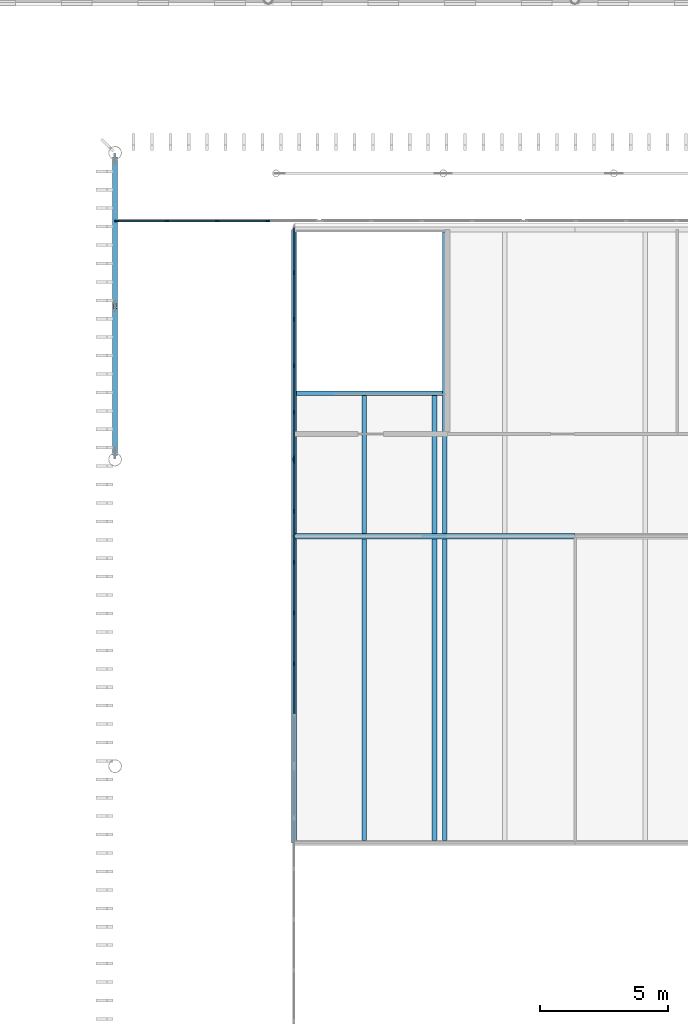
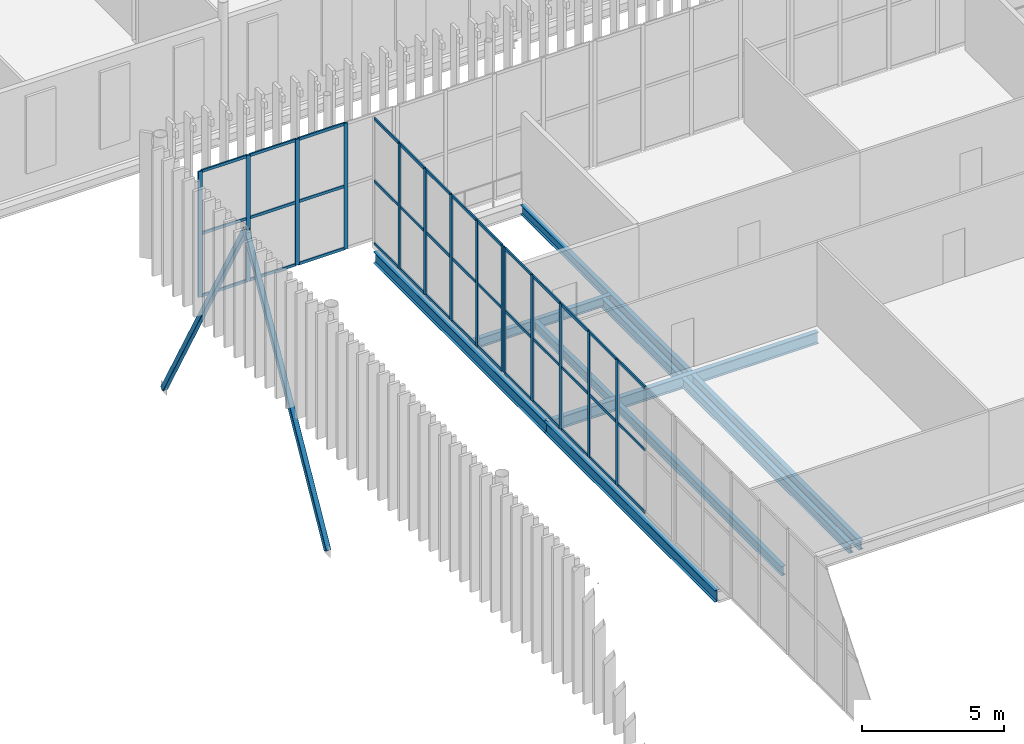
# One storey, part 64 of 170: 55 members, 10 beams, 3 elements without a shape of their own.
"""IFC4 building model written with IfcOpenShell, lengths in metres."""

from ifc_helpers import new_model, si_unit, direction, frame, origin, origin_2d, place, context, subcontext, project, spatial, rectangle, hollow_rectangle, i_section, extrude, material, layer, layer_set, material_profile, profile_set, type_object, element, aggregate, save


model = new_model("IFC4")

# Units and contexts
model_context = context("Model", 3, precision=1e-05, world=origin(), true_north=direction((0.0, 1.0)))
body_context = subcontext(model_context, "Body", "Model", "MODEL_VIEW")
ifc_project = project(units=[si_unit("LENGTHUNIT", "METRE"), si_unit("AREAUNIT", "SQUARE_METRE"), si_unit("VOLUMEUNIT", "CUBIC_METRE"), si_unit("PLANEANGLEUNIT", "RADIAN"), si_unit("MASSUNIT", "GRAM", prefix="KILO")], contexts=[model_context])

# Site, building, storey
site_placement = place(None, origin())
site = spatial("IfcSite", under=ifc_project, at=site_placement, CompositionType="ELEMENT")
building_placement = place(site_placement, origin())
building = spatial("IfcBuilding", under=site, at=building_placement, Name="Ravi Spectrum Wholesale Market", CompositionType="ELEMENT")
storey_placement = place(building_placement, frame((0.0, 0.0, 5.39990234375)))
storey = spatial("IfcBuildingStorey", under=building, at=storey_placement, Name="L01", CompositionType="ELEMENT", Elevation=5.39990234375)

# Beams
ifc_material_1 = material(Name="Steel S355", Category="steel")
ifc_material_profile_1 = material_profile(ifc_material_1, i_section(OverallWidth=0.179931640625, OverallDepth=0.39990234375, WebThickness=0.008544921875, FlangeThickness=0.013427734375, at=origin_2d()))
ifc_profile_set_1 = profile_set([ifc_material_profile_1], Name="Steel S355")
beam_type_1 = type_object("IfcBeamType", Name="IPE 400 beam", PredefinedType="BEAM", material=ifc_profile_set_1)
beam_1_placement = place(storey_placement, frame((39.75, 171.10009765625, -0.449951171875), z_axis=(0.0, 1.0, 0.0), x_axis=(-1.0, 0.0, 0.0)))
element("IfcBeam", 1, at=beam_1_placement, inside=storey, type_object=beam_type_1, Name="H1-BM-L01-023", PredefinedType="BEAM", context=body_context, shape_type="SweptSolid", body=[
    extrude(i_section(OverallWidth=0.179931640625, OverallDepth=0.39990234375, WebThickness=0.008544921875, FlangeThickness=0.013427734375, at=origin_2d()), origin(), (0.0, 0.0, 1.0), 11.7998046875),
])
beam_2_placement = place(storey_placement, frame((39.75, 183.10009765625, -0.449951171875), z_axis=(0.0, 1.0, 0.0), x_axis=(-1.0, 0.0, 0.0)))
element("IfcBeam", 2, at=beam_2_placement, inside=storey, type_object=beam_type_1, Name="H1-BM-L01-024", PredefinedType="BEAM", context=body_context, shape_type="SweptSolid", body=[
    extrude(i_section(OverallWidth=0.179931640625, OverallDepth=0.39990234375, WebThickness=0.008544921875, FlangeThickness=0.013427734375, at=origin_2d()), origin(), (0.0, 0.0, 1.0), 5.409912109375),
])
beam_3_placement = place(storey_placement, frame((42.5, 171.10009765625, -0.449951171875), z_axis=(0.0, 1.0, 0.0), x_axis=(-1.0, 0.0, 0.0)))
element("IfcBeam", 3, at=beam_3_placement, inside=storey, type_object=beam_type_1, Name="H1-BM-L01-025", PredefinedType="BEAM", context=body_context, shape_type="SweptSolid", body=[
    extrude(i_section(OverallWidth=0.179931640625, OverallDepth=0.39990234375, WebThickness=0.008544921875, FlangeThickness=0.013427734375, at=origin_2d()), origin(), (0.0, 0.0, 1.0), 11.7998046875),
])
beam_4_placement = place(storey_placement, frame((42.5, 183.10009765625, -0.449951171875), z_axis=(0.0, 1.0, 0.0), x_axis=(-1.0, 0.0, 0.0)))
element("IfcBeam", 4, at=beam_4_placement, inside=storey, type_object=beam_type_1, Name="H1-BM-L01-026", PredefinedType="BEAM", context=body_context, shape_type="SweptSolid", body=[
    extrude(i_section(OverallWidth=0.179931640625, OverallDepth=0.39990234375, WebThickness=0.008544921875, FlangeThickness=0.013427734375, at=origin_2d()), origin(), (0.0, 0.0, 1.0), 5.409912109375),
])
for number, where, z_axis, x_axis, name in (
    (5, (42.89990234375, 171.10009765625, -0.449951171875), (0.0, 1.0, 0.0), (-1.0, 0.0, 0.0), "H1-BM-L01-027"),
    (6, (42.89990234375, 183.10009765625, -0.449951171875), (0.0, 1.0, 0.0), (-1.0, 0.0, 0.0), "H1-BM-L01-028"),
):
    element("IfcBeam", number, at=place(storey_placement, frame(where, z_axis=z_axis, x_axis=x_axis)), inside=storey, type_object=beam_type_1, Name=name, PredefinedType="BEAM", context=body_context, shape_type="SweptSolid", body=[
        extrude(i_section(OverallWidth=0.179931640625, OverallDepth=0.39990234375, WebThickness=0.008544921875, FlangeThickness=0.013427734375, at=origin_2d()), origin(), (0.0, 0.0, 1.0), 11.7998046875),
    ])
beam_5_placement = place(storey_placement, frame((37.10009765625, 188.60009765625, -0.449951171875), z_axis=(1.0, 0.0, 0.0), x_axis=(0.0, 1.0, 0.0)))
element("IfcBeam", 7, at=beam_5_placement, inside=storey, type_object=beam_type_1, Name="H1-BM-L01-069", PredefinedType="BEAM", context=body_context, shape_type="SweptSolid", body=[
    extrude(i_section(OverallWidth=0.179931640625, OverallDepth=0.39990234375, WebThickness=0.008544921875, FlangeThickness=0.013427734375, at=origin_2d()), origin(), (0.0, 0.0, 1.0), 5.7099609375),
])
ifc_material_2 = material(Name="Steel S355", Category="steel")
ifc_material_profile_2 = material_profile(ifc_material_2, i_section(OverallWidth=0.199951171875, OverallDepth=0.5, WebThickness=0.01025390625, FlangeThickness=0.01611328125, at=origin_2d()))
ifc_profile_set_2 = profile_set([ifc_material_profile_2], Name="Steel S355")
beam_type_2 = type_object("IfcBeamType", Name="IPE 500 girder", PredefinedType="BEAM", material=ifc_profile_set_2)
beam_6_placement = place(storey_placement, frame((37.0, 183.0, -0.5), z_axis=(1.0, 0.0, 0.0), x_axis=(0.0, 1.0, 0.0)))
element("IfcBeam", 8, at=beam_6_placement, inside=storey, type_object=beam_type_2, Name="H1-BM-L01-007", PredefinedType="BEAM", context=body_context, shape_type="SweptSolid", body=[
    extrude(i_section(OverallWidth=0.199951171875, OverallDepth=0.5, WebThickness=0.01025390625, FlangeThickness=0.01611328125, at=origin_2d()), origin(), (0.0, 0.0, 1.0), 11.0),
])
for number, where, z_axis, x_axis, name in (
    (9, (37.0, 171.0, -0.5), (0.0, 1.0, 0.0), (-1.0, 0.0, 0.0), "H1-BM-L01-019"),
    (10, (37.0, 183.0, -0.5), (0.0, 1.0, 0.0), (-1.0, 0.0, 0.0), "H1-BM-L01-020"),
):
    element("IfcBeam", number, at=place(storey_placement, frame(where, z_axis=z_axis, x_axis=x_axis)), inside=storey, type_object=beam_type_2, Name=name, PredefinedType="BEAM", context=body_context, shape_type="SweptSolid", body=[
        extrude(i_section(OverallWidth=0.199951171875, OverallDepth=0.5, WebThickness=0.01025390625, FlangeThickness=0.01611328125, at=origin_2d()), origin(), (0.0, 0.0, 1.0), 12.0),
    ])

# Curtain wall, members
ifc_material_3 = material(Name="Aluminium 6063-T6", Category="aluminium")
ifc_layer = layer(ifc_material_3, 0.14990234375)
ifc_layer_set = layer_set([ifc_layer], Name="Aluminium 6063-T6")
curtain_wall_type = type_object("IfcCurtainWallType", Name="Curtain wall 150", PredefinedType="NOTDEFINED", material=ifc_layer_set)
curtain_wall_1_placement = place(storey_placement, origin())
curtain_wall_1 = element("IfcCurtainWall", 11, at=curtain_wall_1_placement, inside=storey, type_object=curtain_wall_type, Name="H1-CW-L01-013", PredefinedType="NOTDEFINED")
ifc_material_4 = material(Name="Aluminium 6063-T6", Category="aluminium")
ifc_material_profile_3 = material_profile(ifc_material_4, rectangle(XDim=0.06005859375, YDim=0.159912109375, at=origin_2d()))
ifc_profile_set_3 = profile_set([ifc_material_profile_3], Name="Aluminium 6063-T6")
member_type_1 = type_object("IfcMemberType", Name="Mullion 60 x 160", PredefinedType="MULLION", material=ifc_profile_set_3)
member_1_placement = place(storey_placement, frame((37.0, 178.013427734375, 0.0), z_axis=(0.0, 0.0, 1.0), x_axis=(-1.0, 0.0, 0.0)))
member_1 = element("IfcMember", 12, at=member_1_placement, type_object=member_type_1, Name="H1-CW-L01-013 mullion 3", PredefinedType="MULLION", context=body_context, shape_type="SweptSolid", body=[
    extrude(rectangle(XDim=0.06005859375, YDim=0.159912109375, at=origin_2d()), origin(), (0.0, 0.0, 1.0), 5.400146484375),
])
member_2_placement = place(storey_placement, frame((37.0, 180.0, 0.0), z_axis=(0.0, 0.0, 1.0), x_axis=(-1.0, 0.0, 0.0)))
member_2 = element("IfcMember", 13, at=member_2_placement, type_object=member_type_1, Name="H1-CW-L01-013 mullion 4", PredefinedType="MULLION", context=body_context, shape_type="SweptSolid", body=[
    extrude(rectangle(XDim=0.06005859375, YDim=0.159912109375, at=origin_2d()), origin(), (0.0, 0.0, 1.0), 5.400146484375),
])
member_3_placement = place(storey_placement, frame((37.0, 181.986572265625, 0.0), z_axis=(0.0, 0.0, 1.0), x_axis=(-1.0, 0.0, 0.0)))
member_3 = element("IfcMember", 14, at=member_3_placement, type_object=member_type_1, Name="H1-CW-L01-013 mullion 5", PredefinedType="MULLION", context=body_context, shape_type="SweptSolid", body=[
    extrude(rectangle(XDim=0.06005859375, YDim=0.159912109375, at=origin_2d()), origin(), (0.0, 0.0, 1.0), 5.400146484375),
])
member_4_placement = place(storey_placement, frame((37.0, 183.973388671875, 0.0), z_axis=(0.0, 0.0, 1.0), x_axis=(-1.0, 0.0, 0.0)))
member_4 = element("IfcMember", 15, at=member_4_placement, type_object=member_type_1, Name="H1-CW-L01-013 mullion 6", PredefinedType="MULLION", context=body_context, shape_type="SweptSolid", body=[
    extrude(rectangle(XDim=0.06005859375, YDim=0.159912109375, at=origin_2d()), origin(), (0.0, 0.0, 1.0), 5.400146484375),
])
member_5_placement = place(storey_placement, frame((37.0, 185.929931640625, 0.0), z_axis=(0.0, 0.0, 1.0), x_axis=(-1.0, 0.0, 0.0)))
member_5 = element("IfcMember", 16, at=member_5_placement, type_object=member_type_1, Name="H1-CW-L01-013 mullion 7", PredefinedType="MULLION", context=body_context, shape_type="SweptSolid", body=[
    extrude(rectangle(XDim=0.06005859375, YDim=0.159912109375, at=origin_2d()), origin(), (0.0, 0.0, 1.0), 5.400146484375),
])

curtain_wall_2_placement = place(storey_placement, origin())
curtain_wall_2 = element("IfcCurtainWall", 17, at=curtain_wall_2_placement, inside=storey, type_object=curtain_wall_type, Name="H1-CW-L01-014", PredefinedType="NOTDEFINED")
member_6_placement = place(storey_placement, frame((37.0, 186.070068359375, 0.0), z_axis=(0.0, 0.0, 1.0), x_axis=(-1.0, 0.0, 0.0)))
member_6 = element("IfcMember", 18, at=member_6_placement, type_object=member_type_1, Name="H1-CW-L01-014 mullion 1", PredefinedType="MULLION", context=body_context, shape_type="SweptSolid", body=[
    extrude(rectangle(XDim=0.06005859375, YDim=0.159912109375, at=origin_2d()), origin(), (0.0, 0.0, 1.0), 5.400146484375),
])
member_7_placement = place(storey_placement, frame((37.0, 187.85791015625, 0.0), z_axis=(0.0, 0.0, 1.0), x_axis=(-1.0, 0.0, 0.0)))
member_7 = element("IfcMember", 19, at=member_7_placement, type_object=member_type_1, Name="H1-CW-L01-014 mullion 2", PredefinedType="MULLION", context=body_context, shape_type="SweptSolid", body=[
    extrude(rectangle(XDim=0.06005859375, YDim=0.159912109375, at=origin_2d()), origin(), (0.0, 0.0, 1.0), 5.400146484375),
])
member_8_placement = place(storey_placement, frame((37.0, 189.676025390625, 0.0), z_axis=(0.0, 0.0, 1.0), x_axis=(-1.0, 0.0, 0.0)))
member_8 = element("IfcMember", 20, at=member_8_placement, type_object=member_type_1, Name="H1-CW-L01-014 mullion 3", PredefinedType="MULLION", context=body_context, shape_type="SweptSolid", body=[
    extrude(rectangle(XDim=0.06005859375, YDim=0.159912109375, at=origin_2d()), origin(), (0.0, 0.0, 1.0), 5.400146484375),
])
member_9_placement = place(storey_placement, frame((37.0, 191.493896484375, 0.0), z_axis=(0.0, 0.0, 1.0), x_axis=(-1.0, 0.0, 0.0)))
member_9 = element("IfcMember", 21, at=member_9_placement, type_object=member_type_1, Name="H1-CW-L01-014 mullion 4", PredefinedType="MULLION", context=body_context, shape_type="SweptSolid", body=[
    extrude(rectangle(XDim=0.06005859375, YDim=0.159912109375, at=origin_2d()), origin(), (0.0, 0.0, 1.0), 5.400146484375),
])
member_10_placement = place(storey_placement, frame((37.0, 193.31201171875, 0.0), z_axis=(0.0, 0.0, 1.0), x_axis=(-1.0, 0.0, 0.0)))
member_10 = element("IfcMember", 22, at=member_10_placement, type_object=member_type_1, Name="H1-CW-L01-014 mullion 5", PredefinedType="MULLION", context=body_context, shape_type="SweptSolid", body=[
    extrude(rectangle(XDim=0.06005859375, YDim=0.159912109375, at=origin_2d()), origin(), (0.0, 0.0, 1.0), 5.400146484375),
])

curtain_wall_3_placement = place(storey_placement, origin())
curtain_wall_3 = element("IfcCurtainWall", 23, at=curtain_wall_3_placement, inside=storey, type_object=curtain_wall_type, Name="H1-CW-L01-053", PredefinedType="NOTDEFINED")
member_11_placement = place(storey_placement, frame((30.070068359375, 195.340087890625, 0.0), z_axis=(0.0, 0.0, 1.0), x_axis=(0.0, 1.0, 0.0)))
member_11 = element("IfcMember", 24, at=member_11_placement, type_object=member_type_1, Name="H1-CW-L01-053 mullion 1", PredefinedType="MULLION", context=body_context, shape_type="SweptSolid", body=[
    extrude(rectangle(XDim=0.06005859375, YDim=0.159912109375, at=origin_2d()), origin(), (0.0, 0.0, 1.0), 5.400146484375),
])
member_12_placement = place(storey_placement, frame((32.02001953125, 195.340087890625, 0.0), z_axis=(0.0, 0.0, 1.0), x_axis=(0.0, 1.0, 0.0)))
member_12 = element("IfcMember", 25, at=member_12_placement, type_object=member_type_1, Name="H1-CW-L01-053 mullion 2", PredefinedType="MULLION", context=body_context, shape_type="SweptSolid", body=[
    extrude(rectangle(XDim=0.06005859375, YDim=0.159912109375, at=origin_2d()), origin(), (0.0, 0.0, 1.0), 5.400146484375),
])
member_13_placement = place(storey_placement, frame((34.0, 195.340087890625, 0.0), z_axis=(0.0, 0.0, 1.0), x_axis=(0.0, 1.0, 0.0)))
member_13 = element("IfcMember", 26, at=member_13_placement, type_object=member_type_1, Name="H1-CW-L01-053 mullion 3", PredefinedType="MULLION", context=body_context, shape_type="SweptSolid", body=[
    extrude(rectangle(XDim=0.06005859375, YDim=0.159912109375, at=origin_2d()), origin(), (0.0, 0.0, 1.0), 5.400146484375),
])
member_14_placement = place(storey_placement, frame((35.97998046875, 195.340087890625, 0.0), z_axis=(0.0, 0.0, 1.0), x_axis=(0.0, 1.0, 0.0)))
member_14 = element("IfcMember", 27, at=member_14_placement, type_object=member_type_1, Name="H1-CW-L01-053 mullion 4", PredefinedType="MULLION", context=body_context, shape_type="SweptSolid", body=[
    extrude(rectangle(XDim=0.06005859375, YDim=0.159912109375, at=origin_2d()), origin(), (0.0, 0.0, 1.0), 5.400146484375),
])

# Members
ifc_material_5 = material(Name="Steel S355", Category="steel")
ifc_material_profile_4 = material_profile(ifc_material_5, hollow_rectangle(XDim=0.199951171875, YDim=0.199951171875, WallThickness=0.008056640625, InnerFilletRadius=0.008056640625, OuterFilletRadius=0.01611328125, at=origin_2d()))
ifc_profile_set_4 = profile_set([ifc_material_profile_4], Name="Steel S355")
member_type_2 = type_object("IfcMemberType", Name="SHS 200x200x8 brace", PredefinedType="BRACE", material=ifc_profile_set_4)
for number, where, z_axis, x_axis, name in (
    (28, (30.0, 186.25390625, -5.350830078125), (0.0, 0.487151805571, 0.873317306784), (-1.0, 0.0, 0.0), "H1-MB-L01-011"),
    (29, (30.0, 197.74609375, -5.350830078125), (0.0, -0.487151805571, 0.873317306784), (1.0, 0.0, 0.0), "H1-MB-L01-012"),
):
    element("IfcMember", number, at=place(storey_placement, frame(where, z_axis=z_axis, x_axis=x_axis)), inside=storey, type_object=member_type_2, Name=name, PredefinedType="BRACE", context=body_context, shape_type="SweptSolid", body=[
        extrude(hollow_rectangle(XDim=0.199951171875, YDim=0.199951171875, WallThickness=0.008056640625, InnerFilletRadius=0.008056640625, OuterFilletRadius=0.01611328125, at=origin_2d()), origin(), (0.0, 0.0, 1.0), 11.795166015625),
    ])

# Member
ifc_material_6 = material(Name="Aluminium 6063-T6", Category="aluminium")
ifc_material_profile_5 = material_profile(ifc_material_6, rectangle(XDim=0.06005859375, YDim=0.1201171875, at=origin_2d()))
ifc_profile_set_5 = profile_set([ifc_material_profile_5], Name="Aluminium 6063-T6")
member_type_3 = type_object("IfcMemberType", Name="Transom 60 x 120", PredefinedType="USERDEFINED", material=ifc_profile_set_5)
member_15_placement = place(storey_placement, frame((37.0, 176.056640625, 0.030029296875), z_axis=(0.0, 1.0, 0.0), x_axis=(-1.0, 0.0, 0.0)))
member_15 = element("IfcMember", 30, at=member_15_placement, type_object=member_type_3, Name="H1-CW-L01-013 transom 2.1", ObjectType="TRANSOM", PredefinedType="USERDEFINED", context=body_context, shape_type="SweptSolid", body=[
    extrude(rectangle(XDim=0.06005859375, YDim=0.1201171875, at=origin_2d()), origin(), (0.0, 0.0, 1.0), 1.9267578125),
])

member_16_placement = place(storey_placement, frame((37.0, 176.056640625, 2.7001953125), z_axis=(0.0, 1.0, 0.0), x_axis=(-1.0, 0.0, 0.0)))
member_16 = element("IfcMember", 31, at=member_16_placement, type_object=member_type_3, Name="H1-CW-L01-013 transom 2.2", ObjectType="TRANSOM", PredefinedType="USERDEFINED", context=body_context, shape_type="SweptSolid", body=[
    extrude(rectangle(XDim=0.06005859375, YDim=0.1201171875, at=origin_2d()), origin(), (0.0, 0.0, 1.0), 1.9267578125),
])

member_17_placement = place(storey_placement, frame((37.0, 176.056640625, 5.3701171875), z_axis=(0.0, 1.0, 0.0), x_axis=(-1.0, 0.0, 0.0)))
member_17 = element("IfcMember", 32, at=member_17_placement, type_object=member_type_3, Name="H1-CW-L01-013 transom 2.3", ObjectType="TRANSOM", PredefinedType="USERDEFINED", context=body_context, shape_type="SweptSolid", body=[
    extrude(rectangle(XDim=0.06005859375, YDim=0.1201171875, at=origin_2d()), origin(), (0.0, 0.0, 1.0), 1.9267578125),
])

member_18_placement = place(storey_placement, frame((37.0, 178.043212890625, 0.030029296875), z_axis=(0.0, 1.0, 0.0), x_axis=(-1.0, 0.0, 0.0)))
member_18 = element("IfcMember", 33, at=member_18_placement, type_object=member_type_3, Name="H1-CW-L01-013 transom 3.1", ObjectType="TRANSOM", PredefinedType="USERDEFINED", context=body_context, shape_type="SweptSolid", body=[
    extrude(rectangle(XDim=0.06005859375, YDim=0.1201171875, at=origin_2d()), origin(), (0.0, 0.0, 1.0), 1.9267578125),
])

member_19_placement = place(storey_placement, frame((37.0, 178.043212890625, 2.7001953125), z_axis=(0.0, 1.0, 0.0), x_axis=(-1.0, 0.0, 0.0)))
member_19 = element("IfcMember", 34, at=member_19_placement, type_object=member_type_3, Name="H1-CW-L01-013 transom 3.2", ObjectType="TRANSOM", PredefinedType="USERDEFINED", context=body_context, shape_type="SweptSolid", body=[
    extrude(rectangle(XDim=0.06005859375, YDim=0.1201171875, at=origin_2d()), origin(), (0.0, 0.0, 1.0), 1.9267578125),
])

member_20_placement = place(storey_placement, frame((37.0, 178.043212890625, 5.3701171875), z_axis=(0.0, 1.0, 0.0), x_axis=(-1.0, 0.0, 0.0)))
member_20 = element("IfcMember", 35, at=member_20_placement, type_object=member_type_3, Name="H1-CW-L01-013 transom 3.3", ObjectType="TRANSOM", PredefinedType="USERDEFINED", context=body_context, shape_type="SweptSolid", body=[
    extrude(rectangle(XDim=0.06005859375, YDim=0.1201171875, at=origin_2d()), origin(), (0.0, 0.0, 1.0), 1.9267578125),
])

member_21_placement = place(storey_placement, frame((37.0, 180.030029296875, 0.030029296875), z_axis=(0.0, 1.0, 0.0), x_axis=(-1.0, 0.0, 0.0)))
member_21 = element("IfcMember", 36, at=member_21_placement, type_object=member_type_3, Name="H1-CW-L01-013 transom 4.1", ObjectType="TRANSOM", PredefinedType="USERDEFINED", context=body_context, shape_type="SweptSolid", body=[
    extrude(rectangle(XDim=0.06005859375, YDim=0.1201171875, at=origin_2d()), origin(), (0.0, 0.0, 1.0), 1.9267578125),
])

member_22_placement = place(storey_placement, frame((37.0, 180.030029296875, 2.7001953125), z_axis=(0.0, 1.0, 0.0), x_axis=(-1.0, 0.0, 0.0)))
member_22 = element("IfcMember", 37, at=member_22_placement, type_object=member_type_3, Name="H1-CW-L01-013 transom 4.2", ObjectType="TRANSOM", PredefinedType="USERDEFINED", context=body_context, shape_type="SweptSolid", body=[
    extrude(rectangle(XDim=0.06005859375, YDim=0.1201171875, at=origin_2d()), origin(), (0.0, 0.0, 1.0), 1.9267578125),
])

member_23_placement = place(storey_placement, frame((37.0, 180.030029296875, 5.3701171875), z_axis=(0.0, 1.0, 0.0), x_axis=(-1.0, 0.0, 0.0)))
member_23 = element("IfcMember", 38, at=member_23_placement, type_object=member_type_3, Name="H1-CW-L01-013 transom 4.3", ObjectType="TRANSOM", PredefinedType="USERDEFINED", context=body_context, shape_type="SweptSolid", body=[
    extrude(rectangle(XDim=0.06005859375, YDim=0.1201171875, at=origin_2d()), origin(), (0.0, 0.0, 1.0), 1.9267578125),
])

member_24_placement = place(storey_placement, frame((37.0, 182.0166015625, 0.030029296875), z_axis=(0.0, 1.0, 0.0), x_axis=(-1.0, 0.0, 0.0)))
member_24 = element("IfcMember", 39, at=member_24_placement, type_object=member_type_3, Name="H1-CW-L01-013 transom 5.1", ObjectType="TRANSOM", PredefinedType="USERDEFINED", context=body_context, shape_type="SweptSolid", body=[
    extrude(rectangle(XDim=0.06005859375, YDim=0.1201171875, at=origin_2d()), origin(), (0.0, 0.0, 1.0), 1.9267578125),
])

member_25_placement = place(storey_placement, frame((37.0, 182.0166015625, 2.7001953125), z_axis=(0.0, 1.0, 0.0), x_axis=(-1.0, 0.0, 0.0)))
member_25 = element("IfcMember", 40, at=member_25_placement, type_object=member_type_3, Name="H1-CW-L01-013 transom 5.2", ObjectType="TRANSOM", PredefinedType="USERDEFINED", context=body_context, shape_type="SweptSolid", body=[
    extrude(rectangle(XDim=0.06005859375, YDim=0.1201171875, at=origin_2d()), origin(), (0.0, 0.0, 1.0), 1.9267578125),
])

member_26_placement = place(storey_placement, frame((37.0, 182.0166015625, 5.3701171875), z_axis=(0.0, 1.0, 0.0), x_axis=(-1.0, 0.0, 0.0)))
member_26 = element("IfcMember", 41, at=member_26_placement, type_object=member_type_3, Name="H1-CW-L01-013 transom 5.3", ObjectType="TRANSOM", PredefinedType="USERDEFINED", context=body_context, shape_type="SweptSolid", body=[
    extrude(rectangle(XDim=0.06005859375, YDim=0.1201171875, at=origin_2d()), origin(), (0.0, 0.0, 1.0), 1.9267578125),
])

member_27_placement = place(storey_placement, frame((37.0, 184.00341796875, 0.030029296875), z_axis=(0.0, 1.0, 0.0), x_axis=(-1.0, 0.0, 0.0)))
member_27 = element("IfcMember", 42, at=member_27_placement, type_object=member_type_3, Name="H1-CW-L01-013 transom 6.1", ObjectType="TRANSOM", PredefinedType="USERDEFINED", context=body_context, shape_type="SweptSolid", body=[
    extrude(rectangle(XDim=0.06005859375, YDim=0.1201171875, at=origin_2d()), origin(), (0.0, 0.0, 1.0), 1.896484375),
])

member_28_placement = place(storey_placement, frame((37.0, 184.00341796875, 2.7001953125), z_axis=(0.0, 1.0, 0.0), x_axis=(-1.0, 0.0, 0.0)))
member_28 = element("IfcMember", 43, at=member_28_placement, type_object=member_type_3, Name="H1-CW-L01-013 transom 6.2", ObjectType="TRANSOM", PredefinedType="USERDEFINED", context=body_context, shape_type="SweptSolid", body=[
    extrude(rectangle(XDim=0.06005859375, YDim=0.1201171875, at=origin_2d()), origin(), (0.0, 0.0, 1.0), 1.896484375),
])

member_29_placement = place(storey_placement, frame((37.0, 184.00341796875, 5.3701171875), z_axis=(0.0, 1.0, 0.0), x_axis=(-1.0, 0.0, 0.0)))
member_29 = element("IfcMember", 44, at=member_29_placement, type_object=member_type_3, Name="H1-CW-L01-013 transom 6.3", ObjectType="TRANSOM", PredefinedType="USERDEFINED", context=body_context, shape_type="SweptSolid", body=[
    extrude(rectangle(XDim=0.06005859375, YDim=0.1201171875, at=origin_2d()), origin(), (0.0, 0.0, 1.0), 1.896484375),
])

aggregate(curtain_wall_1, [member_1, member_2, member_3, member_4, member_5, member_15, member_16, member_17, member_18, member_19, member_20, member_21, member_22, member_23, member_24, member_25, member_26, member_27, member_28, member_29])

member_30_placement = place(storey_placement, frame((37.0, 186.10009765625, 0.030029296875), z_axis=(0.0, 1.0, 0.0), x_axis=(-1.0, 0.0, 0.0)))
member_30 = element("IfcMember", 45, at=member_30_placement, type_object=member_type_3, Name="H1-CW-L01-014 transom 1.1", ObjectType="TRANSOM", PredefinedType="USERDEFINED", context=body_context, shape_type="SweptSolid", body=[
    extrude(rectangle(XDim=0.06005859375, YDim=0.1201171875, at=origin_2d()), origin(), (0.0, 0.0, 1.0), 1.727783203125),
])

member_31_placement = place(storey_placement, frame((37.0, 186.10009765625, 2.7001953125), z_axis=(0.0, 1.0, 0.0), x_axis=(-1.0, 0.0, 0.0)))
member_31 = element("IfcMember", 46, at=member_31_placement, type_object=member_type_3, Name="H1-CW-L01-014 transom 1.2", ObjectType="TRANSOM", PredefinedType="USERDEFINED", context=body_context, shape_type="SweptSolid", body=[
    extrude(rectangle(XDim=0.06005859375, YDim=0.1201171875, at=origin_2d()), origin(), (0.0, 0.0, 1.0), 1.727783203125),
])

member_32_placement = place(storey_placement, frame((37.0, 186.10009765625, 5.3701171875), z_axis=(0.0, 1.0, 0.0), x_axis=(-1.0, 0.0, 0.0)))
member_32 = element("IfcMember", 47, at=member_32_placement, type_object=member_type_3, Name="H1-CW-L01-014 transom 1.3", ObjectType="TRANSOM", PredefinedType="USERDEFINED", context=body_context, shape_type="SweptSolid", body=[
    extrude(rectangle(XDim=0.06005859375, YDim=0.1201171875, at=origin_2d()), origin(), (0.0, 0.0, 1.0), 1.727783203125),
])

member_33_placement = place(storey_placement, frame((37.0, 187.887939453125, 0.030029296875), z_axis=(0.0, 1.0, 0.0), x_axis=(-1.0, 0.0, 0.0)))
member_33 = element("IfcMember", 48, at=member_33_placement, type_object=member_type_3, Name="H1-CW-L01-014 transom 2.1", ObjectType="TRANSOM", PredefinedType="USERDEFINED", context=body_context, shape_type="SweptSolid", body=[
    extrude(rectangle(XDim=0.06005859375, YDim=0.1201171875, at=origin_2d()), origin(), (0.0, 0.0, 1.0), 1.758056640625),
])

member_34_placement = place(storey_placement, frame((37.0, 187.887939453125, 2.7001953125), z_axis=(0.0, 1.0, 0.0), x_axis=(-1.0, 0.0, 0.0)))
member_34 = element("IfcMember", 49, at=member_34_placement, type_object=member_type_3, Name="H1-CW-L01-014 transom 2.2", ObjectType="TRANSOM", PredefinedType="USERDEFINED", context=body_context, shape_type="SweptSolid", body=[
    extrude(rectangle(XDim=0.06005859375, YDim=0.1201171875, at=origin_2d()), origin(), (0.0, 0.0, 1.0), 1.758056640625),
])

member_35_placement = place(storey_placement, frame((37.0, 187.887939453125, 5.3701171875), z_axis=(0.0, 1.0, 0.0), x_axis=(-1.0, 0.0, 0.0)))
member_35 = element("IfcMember", 50, at=member_35_placement, type_object=member_type_3, Name="H1-CW-L01-014 transom 2.3", ObjectType="TRANSOM", PredefinedType="USERDEFINED", context=body_context, shape_type="SweptSolid", body=[
    extrude(rectangle(XDim=0.06005859375, YDim=0.1201171875, at=origin_2d()), origin(), (0.0, 0.0, 1.0), 1.758056640625),
])

member_36_placement = place(storey_placement, frame((37.0, 189.7060546875, 0.030029296875), z_axis=(0.0, 1.0, 0.0), x_axis=(-1.0, 0.0, 0.0)))
member_36 = element("IfcMember", 51, at=member_36_placement, type_object=member_type_3, Name="H1-CW-L01-014 transom 3.1", ObjectType="TRANSOM", PredefinedType="USERDEFINED", context=body_context, shape_type="SweptSolid", body=[
    extrude(rectangle(XDim=0.06005859375, YDim=0.1201171875, at=origin_2d()), origin(), (0.0, 0.0, 1.0), 1.758056640625),
])

member_37_placement = place(storey_placement, frame((37.0, 189.7060546875, 2.7001953125), z_axis=(0.0, 1.0, 0.0), x_axis=(-1.0, 0.0, 0.0)))
member_37 = element("IfcMember", 52, at=member_37_placement, type_object=member_type_3, Name="H1-CW-L01-014 transom 3.2", ObjectType="TRANSOM", PredefinedType="USERDEFINED", context=body_context, shape_type="SweptSolid", body=[
    extrude(rectangle(XDim=0.06005859375, YDim=0.1201171875, at=origin_2d()), origin(), (0.0, 0.0, 1.0), 1.758056640625),
])

member_38_placement = place(storey_placement, frame((37.0, 189.7060546875, 5.3701171875), z_axis=(0.0, 1.0, 0.0), x_axis=(-1.0, 0.0, 0.0)))
member_38 = element("IfcMember", 53, at=member_38_placement, type_object=member_type_3, Name="H1-CW-L01-014 transom 3.3", ObjectType="TRANSOM", PredefinedType="USERDEFINED", context=body_context, shape_type="SweptSolid", body=[
    extrude(rectangle(XDim=0.06005859375, YDim=0.1201171875, at=origin_2d()), origin(), (0.0, 0.0, 1.0), 1.758056640625),
])

member_39_placement = place(storey_placement, frame((37.0, 191.52392578125, 0.030029296875), z_axis=(0.0, 1.0, 0.0), x_axis=(-1.0, 0.0, 0.0)))
member_39 = element("IfcMember", 54, at=member_39_placement, type_object=member_type_3, Name="H1-CW-L01-014 transom 4.1", ObjectType="TRANSOM", PredefinedType="USERDEFINED", context=body_context, shape_type="SweptSolid", body=[
    extrude(rectangle(XDim=0.06005859375, YDim=0.1201171875, at=origin_2d()), origin(), (0.0, 0.0, 1.0), 1.758056640625),
])

member_40_placement = place(storey_placement, frame((37.0, 191.52392578125, 2.7001953125), z_axis=(0.0, 1.0, 0.0), x_axis=(-1.0, 0.0, 0.0)))
member_40 = element("IfcMember", 55, at=member_40_placement, type_object=member_type_3, Name="H1-CW-L01-014 transom 4.2", ObjectType="TRANSOM", PredefinedType="USERDEFINED", context=body_context, shape_type="SweptSolid", body=[
    extrude(rectangle(XDim=0.06005859375, YDim=0.1201171875, at=origin_2d()), origin(), (0.0, 0.0, 1.0), 1.758056640625),
])

member_41_placement = place(storey_placement, frame((37.0, 191.52392578125, 5.3701171875), z_axis=(0.0, 1.0, 0.0), x_axis=(-1.0, 0.0, 0.0)))
member_41 = element("IfcMember", 56, at=member_41_placement, type_object=member_type_3, Name="H1-CW-L01-014 transom 4.3", ObjectType="TRANSOM", PredefinedType="USERDEFINED", context=body_context, shape_type="SweptSolid", body=[
    extrude(rectangle(XDim=0.06005859375, YDim=0.1201171875, at=origin_2d()), origin(), (0.0, 0.0, 1.0), 1.758056640625),
])

member_42_placement = place(storey_placement, frame((37.0, 193.342041015625, 0.030029296875), z_axis=(0.0, 1.0, 0.0), x_axis=(-1.0, 0.0, 0.0)))
member_42 = element("IfcMember", 57, at=member_42_placement, type_object=member_type_3, Name="H1-CW-L01-014 transom 5.1", ObjectType="TRANSOM", PredefinedType="USERDEFINED", context=body_context, shape_type="SweptSolid", body=[
    extrude(rectangle(XDim=0.06005859375, YDim=0.1201171875, at=origin_2d()), origin(), (0.0, 0.0, 1.0), 1.72802734375),
])

member_43_placement = place(storey_placement, frame((37.0, 193.342041015625, 2.7001953125), z_axis=(0.0, 1.0, 0.0), x_axis=(-1.0, 0.0, 0.0)))
member_43 = element("IfcMember", 58, at=member_43_placement, type_object=member_type_3, Name="H1-CW-L01-014 transom 5.2", ObjectType="TRANSOM", PredefinedType="USERDEFINED", context=body_context, shape_type="SweptSolid", body=[
    extrude(rectangle(XDim=0.06005859375, YDim=0.1201171875, at=origin_2d()), origin(), (0.0, 0.0, 1.0), 1.72802734375),
])

member_44_placement = place(storey_placement, frame((37.0, 193.342041015625, 5.3701171875), z_axis=(0.0, 1.0, 0.0), x_axis=(-1.0, 0.0, 0.0)))
member_44 = element("IfcMember", 59, at=member_44_placement, type_object=member_type_3, Name="H1-CW-L01-014 transom 5.3", ObjectType="TRANSOM", PredefinedType="USERDEFINED", context=body_context, shape_type="SweptSolid", body=[
    extrude(rectangle(XDim=0.06005859375, YDim=0.1201171875, at=origin_2d()), origin(), (0.0, 0.0, 1.0), 1.72802734375),
])

aggregate(curtain_wall_2, [member_6, member_7, member_8, member_9, member_10, member_30, member_31, member_32, member_33, member_34, member_35, member_36, member_37, member_38, member_39, member_40, member_41, member_42, member_43, member_44])

member_45_placement = place(storey_placement, frame((30.10009765625, 195.340087890625, 0.030029296875), z_axis=(1.0, 0.0, 0.0), x_axis=(0.0, 1.0, 0.0)))
member_45 = element("IfcMember", 60, at=member_45_placement, type_object=member_type_3, Name="H1-CW-L01-053 transom 1.1", ObjectType="TRANSOM", PredefinedType="USERDEFINED", context=body_context, shape_type="SweptSolid", body=[
    extrude(rectangle(XDim=0.06005859375, YDim=0.1201171875, at=origin_2d()), origin(), (0.0, 0.0, 1.0), 1.889892578125),
])

member_46_placement = place(storey_placement, frame((30.10009765625, 195.340087890625, 2.7001953125), z_axis=(1.0, 0.0, 0.0), x_axis=(0.0, 1.0, 0.0)))
member_46 = element("IfcMember", 61, at=member_46_placement, type_object=member_type_3, Name="H1-CW-L01-053 transom 1.2", ObjectType="TRANSOM", PredefinedType="USERDEFINED", context=body_context, shape_type="SweptSolid", body=[
    extrude(rectangle(XDim=0.06005859375, YDim=0.1201171875, at=origin_2d()), origin(), (0.0, 0.0, 1.0), 1.889892578125),
])

member_47_placement = place(storey_placement, frame((30.10009765625, 195.340087890625, 5.3701171875), z_axis=(1.0, 0.0, 0.0), x_axis=(0.0, 1.0, 0.0)))
member_47 = element("IfcMember", 62, at=member_47_placement, type_object=member_type_3, Name="H1-CW-L01-053 transom 1.3", ObjectType="TRANSOM", PredefinedType="USERDEFINED", context=body_context, shape_type="SweptSolid", body=[
    extrude(rectangle(XDim=0.06005859375, YDim=0.1201171875, at=origin_2d()), origin(), (0.0, 0.0, 1.0), 1.889892578125),
])

member_48_placement = place(storey_placement, frame((32.050048828125, 195.340087890625, 0.030029296875), z_axis=(1.0, 0.0, 0.0), x_axis=(0.0, 1.0, 0.0)))
member_48 = element("IfcMember", 63, at=member_48_placement, type_object=member_type_3, Name="H1-CW-L01-053 transom 2.1", ObjectType="TRANSOM", PredefinedType="USERDEFINED", context=body_context, shape_type="SweptSolid", body=[
    extrude(rectangle(XDim=0.06005859375, YDim=0.1201171875, at=origin_2d()), origin(), (0.0, 0.0, 1.0), 1.919921875),
])

member_49_placement = place(storey_placement, frame((32.050048828125, 195.340087890625, 2.7001953125), z_axis=(1.0, 0.0, 0.0), x_axis=(0.0, 1.0, 0.0)))
member_49 = element("IfcMember", 64, at=member_49_placement, type_object=member_type_3, Name="H1-CW-L01-053 transom 2.2", ObjectType="TRANSOM", PredefinedType="USERDEFINED", context=body_context, shape_type="SweptSolid", body=[
    extrude(rectangle(XDim=0.06005859375, YDim=0.1201171875, at=origin_2d()), origin(), (0.0, 0.0, 1.0), 1.919921875),
])

member_50_placement = place(storey_placement, frame((32.050048828125, 195.340087890625, 5.3701171875), z_axis=(1.0, 0.0, 0.0), x_axis=(0.0, 1.0, 0.0)))
member_50 = element("IfcMember", 65, at=member_50_placement, type_object=member_type_3, Name="H1-CW-L01-053 transom 2.3", ObjectType="TRANSOM", PredefinedType="USERDEFINED", context=body_context, shape_type="SweptSolid", body=[
    extrude(rectangle(XDim=0.06005859375, YDim=0.1201171875, at=origin_2d()), origin(), (0.0, 0.0, 1.0), 1.919921875),
])

member_51_placement = place(storey_placement, frame((34.030029296875, 195.340087890625, 0.030029296875), z_axis=(1.0, 0.0, 0.0), x_axis=(0.0, 1.0, 0.0)))
member_51 = element("IfcMember", 66, at=member_51_placement, type_object=member_type_3, Name="H1-CW-L01-053 transom 3.1", ObjectType="TRANSOM", PredefinedType="USERDEFINED", context=body_context, shape_type="SweptSolid", body=[
    extrude(rectangle(XDim=0.06005859375, YDim=0.1201171875, at=origin_2d()), origin(), (0.0, 0.0, 1.0), 1.919921875),
])

member_52_placement = place(storey_placement, frame((34.030029296875, 195.340087890625, 2.7001953125), z_axis=(1.0, 0.0, 0.0), x_axis=(0.0, 1.0, 0.0)))
member_52 = element("IfcMember", 67, at=member_52_placement, type_object=member_type_3, Name="H1-CW-L01-053 transom 3.2", ObjectType="TRANSOM", PredefinedType="USERDEFINED", context=body_context, shape_type="SweptSolid", body=[
    extrude(rectangle(XDim=0.06005859375, YDim=0.1201171875, at=origin_2d()), origin(), (0.0, 0.0, 1.0), 1.919921875),
])

member_53_placement = place(storey_placement, frame((34.030029296875, 195.340087890625, 5.3701171875), z_axis=(1.0, 0.0, 0.0), x_axis=(0.0, 1.0, 0.0)))
member_53 = element("IfcMember", 68, at=member_53_placement, type_object=member_type_3, Name="H1-CW-L01-053 transom 3.3", ObjectType="TRANSOM", PredefinedType="USERDEFINED", context=body_context, shape_type="SweptSolid", body=[
    extrude(rectangle(XDim=0.06005859375, YDim=0.1201171875, at=origin_2d()), origin(), (0.0, 0.0, 1.0), 1.919921875),
])

aggregate(curtain_wall_3, [member_11, member_12, member_13, member_14, member_45, member_46, member_47, member_48, member_49, member_50, member_51, member_52, member_53])

save(model, "model.ifc")
